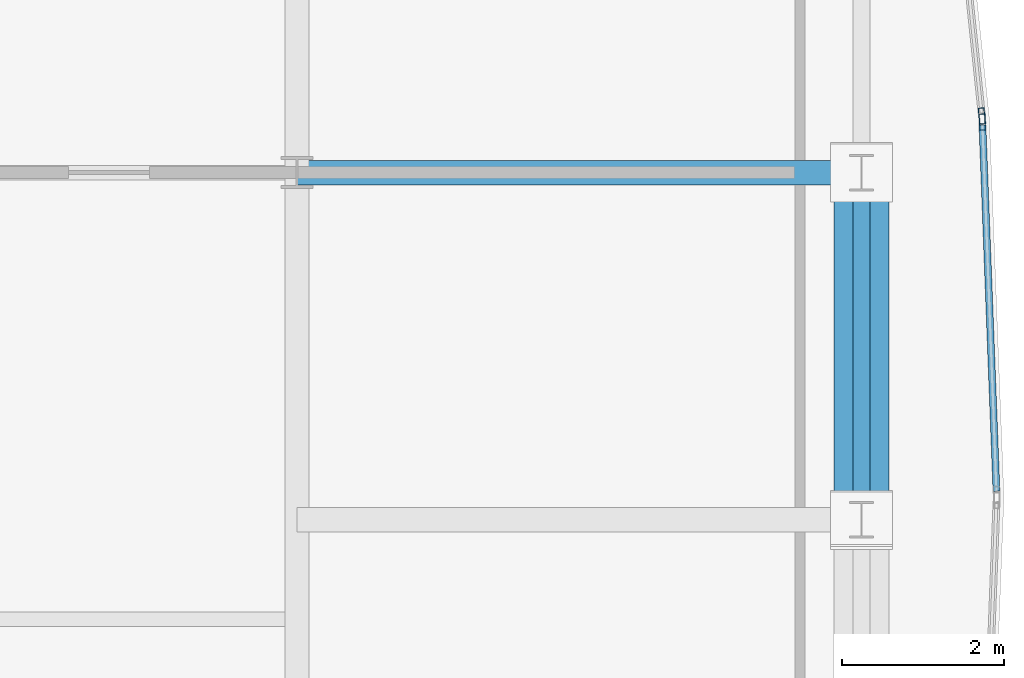
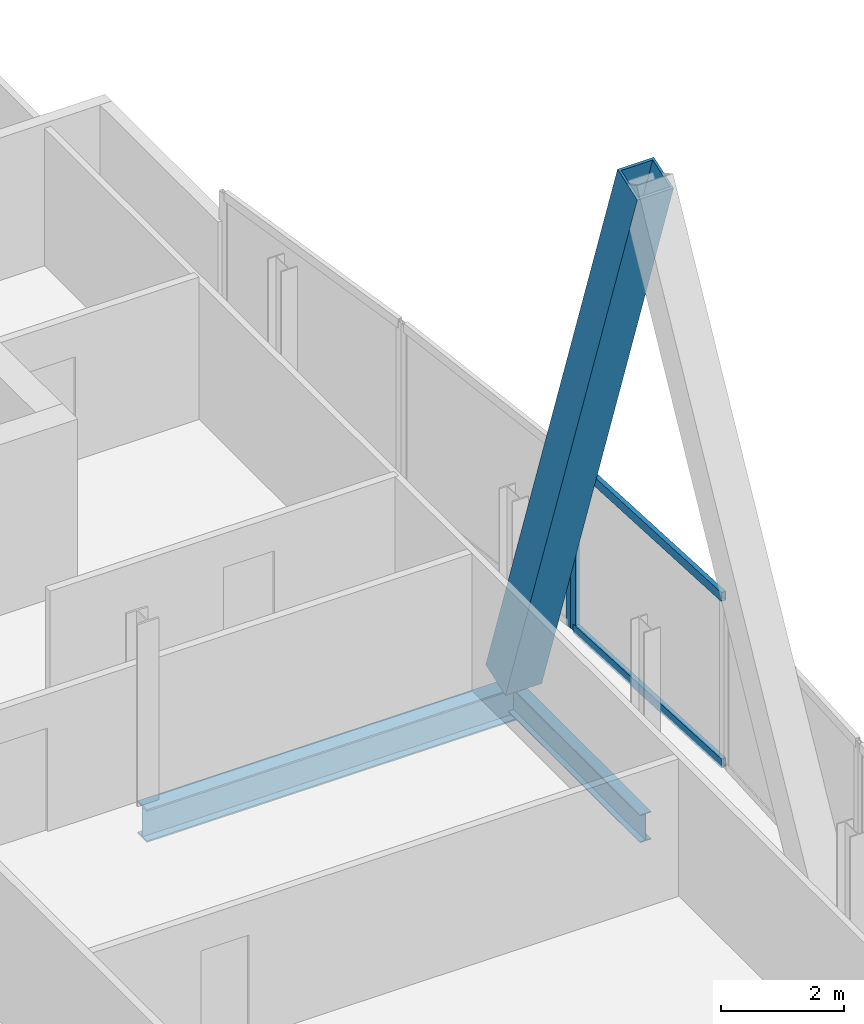
# One storey, part 18 of 29: 5 members, 2 beams, 2 elements without a shape of their own.
"""IFC4 building model written with IfcOpenShell, lengths in metres."""

from ifc_helpers import new_model, si_unit, direction, frame, origin, origin_2d, place, context, subcontext, project, spatial, hollow_rectangle, i_section, extrude, material, material_profile, profile_set, type_object, element, aggregate, save


model = new_model("IFC4")

# Units and contexts
model_context = context("Model", 3, precision=1e-05, world=origin(), true_north=direction((0.0, 1.0)))
body_context = subcontext(model_context, "Body", "Model", "MODEL_VIEW")
ifc_project = project(units=[si_unit("LENGTHUNIT", "METRE"), si_unit("AREAUNIT", "SQUARE_METRE"), si_unit("VOLUMEUNIT", "CUBIC_METRE"), si_unit("PLANEANGLEUNIT", "RADIAN"), si_unit("MASSUNIT", "GRAM", prefix="KILO")], contexts=[model_context])

# Site, building, storey
site_placement = place(None, origin())
site = spatial("IfcSite", under=ifc_project, at=site_placement, CompositionType="ELEMENT")
building_placement = place(site_placement, origin())
building = spatial("IfcBuilding", under=site, at=building_placement, Name="Khoronbel Lancet Exchange", CompositionType="ELEMENT")
storey_placement = place(building_placement, frame((0.0, 0.0, 302.199951171875)))
storey = spatial("IfcBuildingStorey", under=building, at=storey_placement, Name="L78", CompositionType="ELEMENT", Elevation=302.199951171875)

# Beams
ifc_material_1 = material(Name="Steel S355", Category="steel")
ifc_material_profile_1 = material_profile(ifc_material_1, i_section(OverallWidth=0.300048828125, OverallDepth=0.64990234375, WebThickness=0.01611328125, FlangeThickness=0.031005859375, at=origin_2d()), Name="HEB 650")
ifc_profile_set_1 = profile_set([ifc_material_profile_1], Name="Steel S355")
beam_type_1 = type_object("IfcBeamType", Name="BM-BG4", PredefinedType="BEAM", material=ifc_profile_set_1)
beam_1_placement = place(storey_placement, frame((54.675048828125, 35.699951171875, -0.48486328125), z_axis=(1.0, 0.0, 0.0), x_axis=(0.0, 1.0, 0.0)))
element("IfcBeam", 1, at=beam_1_placement, inside=storey, type_object=beam_type_1, Name="Level L78 east lens tie girder LG4E", PredefinedType="BEAM", context=body_context, shape_type="SweptSolid", body=[
    extrude(i_section(OverallWidth=0.300048828125, OverallDepth=0.64990234375, WebThickness=0.01611328125, FlangeThickness=0.031005859375, at=origin_2d()), origin(), (0.0, 0.0, 1.0), 6.954833984375),
])
ifc_material_profile_2 = material_profile(ifc_material_1, i_section(OverallWidth=0.2099609375, OverallDepth=0.550048828125, WebThickness=0.010986328125, FlangeThickness=0.01708984375, at=origin_2d()), Name="IPE 550")
ifc_profile_set_2 = profile_set([ifc_material_profile_2], Name="Steel S355")
beam_type_2 = type_object("IfcBeamType", Name="BM-BSP3", PredefinedType="SPANDREL", material=ifc_profile_set_2)
beam_2_placement = place(storey_placement, frame((61.6298828125, 31.425048828125, -0.43505859375), z_axis=(0.0, 1.0, 0.0), x_axis=(-1.0, 0.0, 0.0)))
element("IfcBeam", 2, at=beam_2_placement, inside=storey, type_object=beam_type_2, Name="Level L78 perimeter spandrel beam SP13", PredefinedType="SPANDREL", context=body_context, shape_type="SweptSolid", body=[
    extrude(i_section(OverallWidth=0.2099609375, OverallDepth=0.550048828125, WebThickness=0.010986328125, FlangeThickness=0.01708984375, at=origin_2d()), origin(), (0.0, 0.0, 1.0), 4.27490234375),
])

# Curtain wall, member
ifc_material_2 = material(Name="Low-E Solar Control Insulating Glass", Category="glass")
curtain_wall_type = type_object("IfcCurtainWallType", Name="CW-4", PredefinedType="NOTDEFINED", material=ifc_material_2)
curtain_wall_1_placement = place(storey_placement, origin())
curtain_wall_1 = element("IfcCurtainWall", 3, at=curtain_wall_1_placement, inside=storey, type_object=curtain_wall_type, Name="Unitised curtain wall CW-L78-E18", PredefinedType="NOTDEFINED")
ifc_material_3 = material(Name="Bronze-Anodised Aluminium 6063-T6", Category="aluminium")
ifc_material_profile_3 = material_profile(ifc_material_3, hollow_rectangle(XDim=0.074951171875, YDim=0.199951171875, WallThickness=0.0048828125, at=origin_2d()), Name="ALU MULLION 75x200")
ifc_profile_set_3 = profile_set([ifc_material_profile_3], Name="Bronze-Anodised Aluminium 6063-T6")
member_type_1 = type_object("IfcMemberType", Name="MEM-CWM2", PredefinedType="MULLION", material=ifc_profile_set_3)
member_1_placement = place(storey_placement, frame((63.1123046875, 36.397705078125, 0.0), z_axis=(0.0, 0.0, 1.0), x_axis=(0.994563630588, 0.104130613712, 0.0)))
member_1 = element("IfcMember", 4, at=member_1_placement, type_object=member_type_1, Name="CW4 mullion 2", PredefinedType="MULLION", context=body_context, shape_type="SweptSolid", body=[
    extrude(hollow_rectangle(XDim=0.074951171875, YDim=0.199951171875, WallThickness=0.0048828125, at=origin_2d()), origin(), (0.0, 0.0, 1.0), 3.380126953125),
])
aggregate(curtain_wall_1, [member_1])

# Curtain wall, members
curtain_wall_2_placement = place(storey_placement, origin())
curtain_wall_2 = element("IfcCurtainWall", 5, at=curtain_wall_2_placement, inside=storey, type_object=curtain_wall_type, Name="Unitised curtain wall CW-L78-E19", PredefinedType="NOTDEFINED")
member_2_placement = place(storey_placement, frame((63.117431640625, 36.32275390625, 0.0), z_axis=(0.0, 0.0, 1.0), x_axis=(0.99926727474, 0.038274190189, 0.0)))
member_2 = element("IfcMember", 6, at=member_2_placement, type_object=member_type_1, Name="CW4 mullion 1", PredefinedType="MULLION", context=body_context, shape_type="SweptSolid", body=[
    extrude(hollow_rectangle(XDim=0.074951171875, YDim=0.199951171875, WallThickness=0.0048828125, at=origin_2d()), origin(), (0.0, 0.0, 1.0), 3.380126953125),
])
ifc_material_profile_4 = material_profile(ifc_material_3, hollow_rectangle(XDim=0.0849609375, YDim=0.179931640625, WallThickness=0.0048828125, at=origin_2d()), Name="ALU TRANSOM 85x180")
ifc_profile_set_4 = profile_set([ifc_material_profile_4], Name="Bronze-Anodised Aluminium 6063-T6")
member_type_2 = type_object("IfcMemberType", Name="MEM-CWT1", PredefinedType="USERDEFINED", material=ifc_profile_set_4)
member_3_placement = place(storey_placement, frame((63.118896484375, 36.285400390625, 0.04248046875), z_axis=(0.038293948286, -0.999266517764, 0.0), x_axis=(0.999266517764, 0.038293948286, 0.0)))
member_3 = element("IfcMember", 7, at=member_3_placement, type_object=member_type_2, Name="CW4 transom 1.1", ObjectType="TRANSOM", PredefinedType="USERDEFINED", context=body_context, shape_type="SweptSolid", body=[
    extrude(hollow_rectangle(XDim=0.0849609375, YDim=0.179931640625, WallThickness=0.0048828125, at=origin_2d()), origin(), (0.0, 0.0, 1.0), 4.513916015625),
])
member_4_placement = place(storey_placement, frame((63.118896484375, 36.285400390625, 3.337646484375), z_axis=(0.038293948286, -0.999266517764, 0.0), x_axis=(0.999266517764, 0.038293948286, 0.0)))
member_4 = element("IfcMember", 8, at=member_4_placement, type_object=member_type_2, Name="CW4 transom 1.2", ObjectType="TRANSOM", PredefinedType="USERDEFINED", context=body_context, shape_type="SweptSolid", body=[
    extrude(hollow_rectangle(XDim=0.0849609375, YDim=0.179931640625, WallThickness=0.0048828125, at=origin_2d()), origin(), (0.0, 0.0, 1.0), 4.513916015625),
])
aggregate(curtain_wall_2, [member_2, member_3, member_4])

# Member
ifc_material_4 = material(Name="Steel S460", Category="steel")
ifc_material_profile_5 = material_profile(ifc_material_4, hollow_rectangle(XDim=0.679931640625, YDim=0.679931640625, WallThickness=0.044921875, at=origin_2d()), Name="BOX 680x680x45")
ifc_profile_set_5 = profile_set([ifc_material_profile_5], Name="Steel S460")
member_type_3 = type_object("IfcMemberType", Name="MEM-MB3", PredefinedType="BRACE", material=ifc_profile_set_5)
member_5_placement = place(storey_placement, frame((61.6298828125, 35.699951171875, 0.0), z_axis=(0.0, -0.325921846246, 0.945396715744), x_axis=(1.0, 0.0, 0.0)))
element("IfcMember", 9, at=member_5_placement, inside=storey, type_object=member_type_3, Name="Perimeter lancet brace tier 27 E-P-R", PredefinedType="BRACE", context=body_context, shape_type="SweptSolid", body=[
    extrude(hollow_rectangle(XDim=0.679931640625, YDim=0.679931640625, WallThickness=0.044921875, at=origin_2d()), origin(), (0.0, 0.0, 1.0), 13.116455078125),
])

save(model, "model.ifc")
